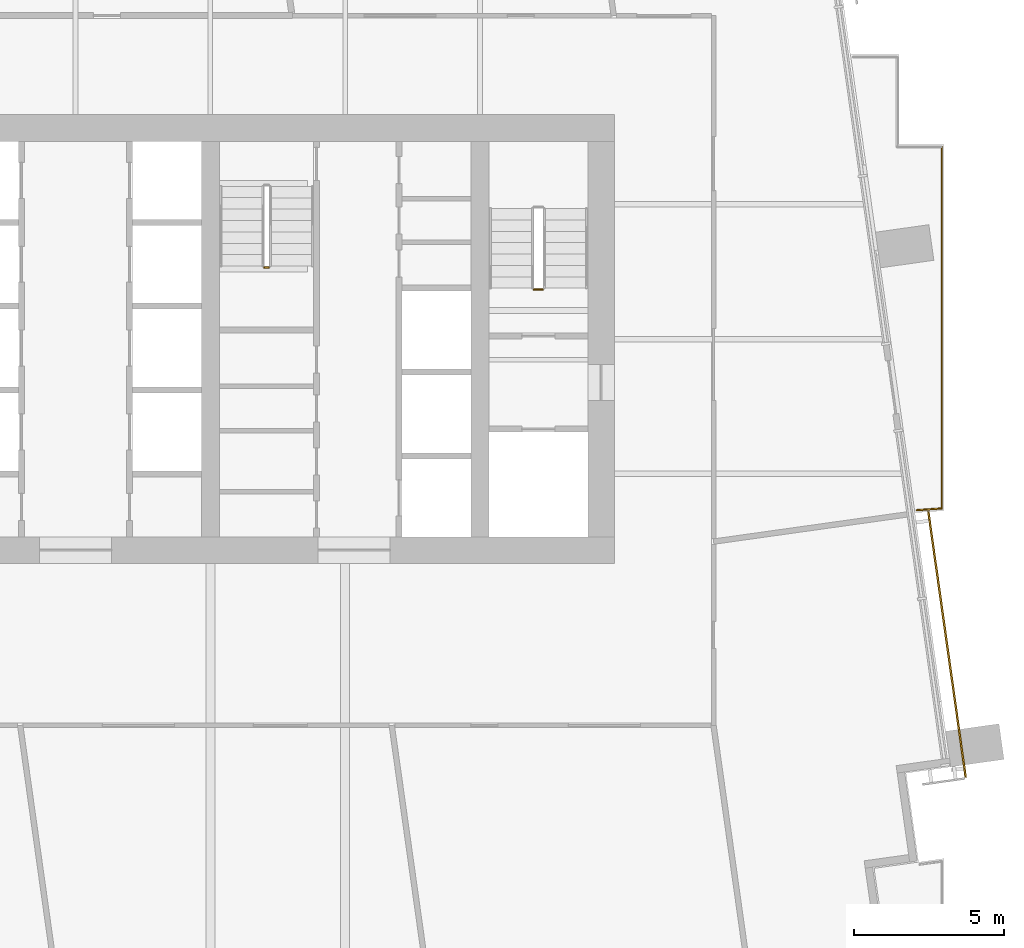
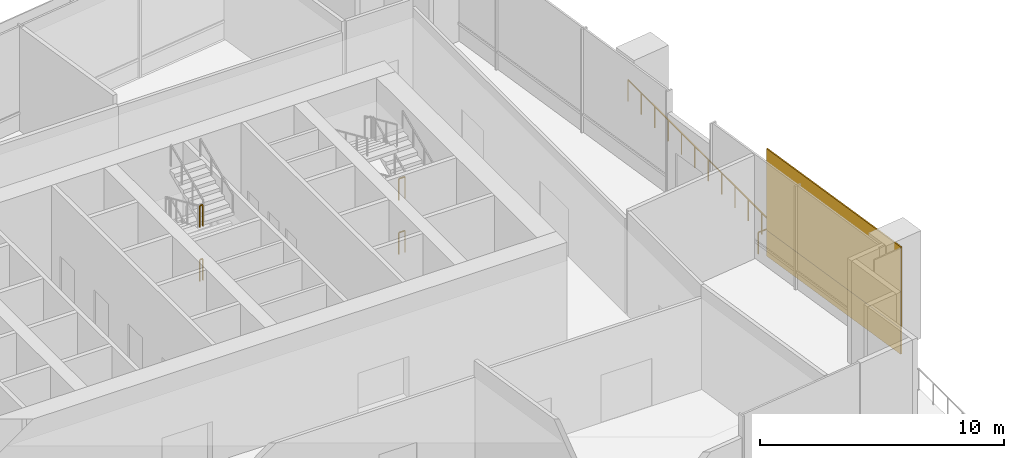
# One storey, part 15 of 17: 6 railings, 2 coverings.
"""IFC4 building model written with IfcOpenShell, lengths in metres."""

from ifc_helpers import new_model, si_unit, direction, frame, origin, origin_2d, place, context, subcontext, project, spatial, rectangle, extrude, material, layer, layer_set, type_object, element, save


model = new_model("IFC4")

# Units and contexts
model_context = context("Model", 3, precision=1e-05, world=origin(), true_north=direction((0.0, 1.0)))
body_context = subcontext(model_context, "Body", "Model", "MODEL_VIEW")
ifc_project = project(units=[si_unit("LENGTHUNIT", "METRE"), si_unit("AREAUNIT", "SQUARE_METRE"), si_unit("VOLUMEUNIT", "CUBIC_METRE"), si_unit("PLANEANGLEUNIT", "RADIAN"), si_unit("MASSUNIT", "GRAM", prefix="KILO")], contexts=[model_context])

# Site, building, storey
site_placement = place(None, origin())
site = spatial("IfcSite", under=ifc_project, at=site_placement, CompositionType="ELEMENT")
building_placement = place(site_placement, origin())
building = spatial("IfcBuilding", under=site, at=building_placement, Name="Rattan Terrace Tower", CompositionType="ELEMENT")
storey_placement = place(building_placement, frame((0.0, 0.0, 163.10009765625)))
storey = spatial("IfcBuildingStorey", under=building, at=storey_placement, Name="L37", CompositionType="ELEMENT", Elevation=163.10009765625)

# Railings
ifc_material_1 = material(Name="Powder-coated steel guard", Category="steel")
railing_type_1 = type_object("IfcRailingType", Name="Core stair guard", PredefinedType="GUARDRAIL", material=ifc_material_1)
for number, where, name in (
    (1, (15.60009765625, 1.64990234375, 2.699951171875), "L37 S2 stair guard 4"),
    (2, (15.60009765625, 1.64990234375, 0.0), "L37 S2 stair guard 8"),
):
    element("IfcRailing", number, at=place(storey_placement, frame(where)), inside=storey, type_object=railing_type_1, Name=name, PredefinedType="GUARDRAIL", context=body_context, shape_type="SweptSolid", body=[
        extrude(rectangle(XDim=0.048095703125, YDim=0.048095703125, at=origin_2d()), frame((0.0, 0.0, 1.076171875), z_axis=(-1.0, 0.0, 0.0), x_axis=(0.0, -1.0, 0.0)), (0.0, 0.0, 1.0), 0.300048828125),
        extrude(rectangle(XDim=0.0419921875, YDim=0.0419921875, at=origin_2d()), origin(), (0.0, 0.0, 1.0), 1.052001953125),
        extrude(rectangle(XDim=0.0419921875, YDim=0.0419921875, at=origin_2d()), frame((-0.300048828125, 0.0, 0.0)), (0.0, 0.0, 1.0), 1.052001953125),
    ])
for number, where, name in (
    (3, (6.300048828125, 2.389892578125, 1.349853515625), "L37 S3 stair guard 2"),
    (4, (6.300048828125, 2.389892578125, 4.0498046875), "L37 S3 stair guard 6"),
):
    element("IfcRailing", number, at=place(storey_placement, frame(where)), inside=storey, type_object=railing_type_1, Name=name, PredefinedType="GUARDRAIL", context=body_context, shape_type="SweptSolid", body=[
        extrude(rectangle(XDim=0.048095703125, YDim=0.048095703125, at=origin_2d()), frame((0.0, 0.0, 1.076171875), z_axis=(1.0, 0.0, 0.0), x_axis=(0.0, 1.0, 0.0)), (0.0, 0.0, 1.0), 0.14990234375),
        extrude(rectangle(XDim=0.0419921875, YDim=0.0419921875, at=origin_2d()), origin(), (0.0, 0.0, 1.0), 1.052001953125),
        extrude(rectangle(XDim=0.0419921875, YDim=0.0419921875, at=origin_2d()), frame((0.14990234375, 0.0, 0.0)), (0.0, 0.0, 1.0), 1.052001953125),
    ])
ifc_material_2 = material(Name="Stainless steel 316", Category="steel")
railing_type_2 = type_object("IfcRailingType", Name="Facade Guard 1100", PredefinedType="GUARDRAIL", material=ifc_material_2)
railing_1_placement = place(storey_placement, frame((28.919921875, 6.419921875, 0.0)))
element("IfcRailing", 5, at=railing_1_placement, inside=storey, type_object=railing_type_2, Name="Terrace guard L37-1-4", PredefinedType="GUARDRAIL", context=body_context, shape_type="SweptSolid", body=[
    extrude(rectangle(XDim=0.048095703125, YDim=0.048095703125, at=origin_2d()), frame((0.0, 0.0, 1.076171875), z_axis=(0.0, -1.0, 0.0), x_axis=(1.0, 0.0, 0.0)), (0.0, 0.0, 1.0), 12.074951171875),
    extrude(rectangle(XDim=0.0419921875, YDim=0.0419921875, at=origin_2d()), origin(), (0.0, 0.0, 1.0), 1.052001953125),
    extrude(rectangle(XDim=0.0419921875, YDim=0.0419921875, at=origin_2d()), frame((0.0, -1.09765625, 0.0)), (0.0, 0.0, 1.0), 1.052001953125),
    extrude(rectangle(XDim=0.0419921875, YDim=0.0419921875, at=origin_2d()), frame((0.0, -2.195556640625, 0.0)), (0.0, 0.0, 1.0), 1.052001953125),
    extrude(rectangle(XDim=0.0419921875, YDim=0.0419921875, at=origin_2d()), frame((0.0, -3.293212890625, 0.0)), (0.0, 0.0, 1.0), 1.052001953125),
    extrude(rectangle(XDim=0.0419921875, YDim=0.0419921875, at=origin_2d()), frame((0.0, -4.390869140625, 0.0)), (0.0, 0.0, 1.0), 1.052001953125),
    extrude(rectangle(XDim=0.0419921875, YDim=0.0419921875, at=origin_2d()), frame((0.0, -5.488525390625, 0.0)), (0.0, 0.0, 1.0), 1.052001953125),
    extrude(rectangle(XDim=0.0419921875, YDim=0.0419921875, at=origin_2d()), frame((0.0, -6.58642578125, 0.0)), (0.0, 0.0, 1.0), 1.052001953125),
    extrude(rectangle(XDim=0.0419921875, YDim=0.0419921875, at=origin_2d()), frame((0.0, -7.68408203125, 0.0)), (0.0, 0.0, 1.0), 1.052001953125),
    extrude(rectangle(XDim=0.0419921875, YDim=0.0419921875, at=origin_2d()), frame((0.0, -8.78173828125, 0.0)), (0.0, 0.0, 1.0), 1.052001953125),
    extrude(rectangle(XDim=0.0419921875, YDim=0.0419921875, at=origin_2d()), frame((0.0, -9.87939453125, 0.0)), (0.0, 0.0, 1.0), 1.052001953125),
    extrude(rectangle(XDim=0.0419921875, YDim=0.0419921875, at=origin_2d()), frame((0.0, -10.977294921875, 0.0)), (0.0, 0.0, 1.0), 1.052001953125),
])
railing_2_placement = place(storey_placement, frame((28.919921875, -5.655029296875, 0.0)))
element("IfcRailing", 6, at=railing_2_placement, inside=storey, type_object=railing_type_2, Name="Terrace guard L37-1-5", PredefinedType="GUARDRAIL", context=body_context, shape_type="SweptSolid", body=[
    extrude(rectangle(XDim=0.048095703125, YDim=0.048095703125, at=origin_2d()), frame((0.0, 0.0, 1.076171875), z_axis=(-0.997537689418, -0.070132433222, 0.0), x_axis=(0.070132433222, -0.997537689418, 0.0)), (0.0, 0.0, 1.0), 0.824951171875),
    extrude(rectangle(XDim=0.0419921875, YDim=0.0419921875, at=origin_2d()), origin(), (0.0, 0.0, 1.0), 1.052001953125),
    extrude(rectangle(XDim=0.0419921875, YDim=0.0419921875, at=origin_2d()), frame((-0.822998046875, -0.057861328125, 0.0)), (0.0, 0.0, 1.0), 1.052001953125),
])

# Coverings
ifc_material_3 = material(Name="Solid terracotta", Category="masonry")
ifc_layer_1 = layer(ifc_material_3, 0.06005859375)
ifc_layer_set_1 = layer_set([ifc_layer_1], Name="Facade Terracotta Band Panel")
covering_type_1 = type_object("IfcCoveringType", Name="Facade Terracotta Band Panel", PredefinedType="CLADDING", material=ifc_layer_set_1)
covering_1_placement = place(storey_placement, frame((29.095703125, -10.19580078125, -0.18994140625), z_axis=(0.0, 0.0, 1.0), x_axis=(-0.139190856006, 0.99026557327, 0.0)))
element("IfcCovering", 7, at=covering_1_placement, inside=storey, type_object=covering_type_1, Name="OUTER SKIN panel L37-2A", PredefinedType="CLADDING", context=body_context, shape_type="SweptSolid", body=[
    extrude(rectangle(XDim=8.949951171875, YDim=0.06005859375, at=origin_2d()), origin(), (0.0, 0.0, 1.0), 1.300048828125),
])
ifc_material_4 = material(Name="Perforated terracotta", Category="masonry")
ifc_layer_2 = layer(ifc_material_4, 0.06005859375)
ifc_layer_set_2 = layer_set([ifc_layer_2], Name="Facade Terracotta Screen Panel")
covering_type_2 = type_object("IfcCoveringType", Name="Facade Terracotta Screen Panel", PredefinedType="CLADDING", material=ifc_layer_set_2)
covering_2_placement = place(storey_placement, frame((29.095703125, -10.19580078125, 1.10986328125), z_axis=(0.0, 0.0, 1.0), x_axis=(-0.139190856006, 0.99026557327, 0.0)))
element("IfcCovering", 8, at=covering_2_placement, inside=storey, type_object=covering_type_2, Name="OUTER SKIN panel L37-2B", PredefinedType="CLADDING", context=body_context, shape_type="SweptSolid", body=[
    extrude(rectangle(XDim=8.949951171875, YDim=0.06005859375, at=origin_2d()), origin(), (0.0, 0.0, 1.0), 4.080078125),
])

save(model, "model.ifc")
